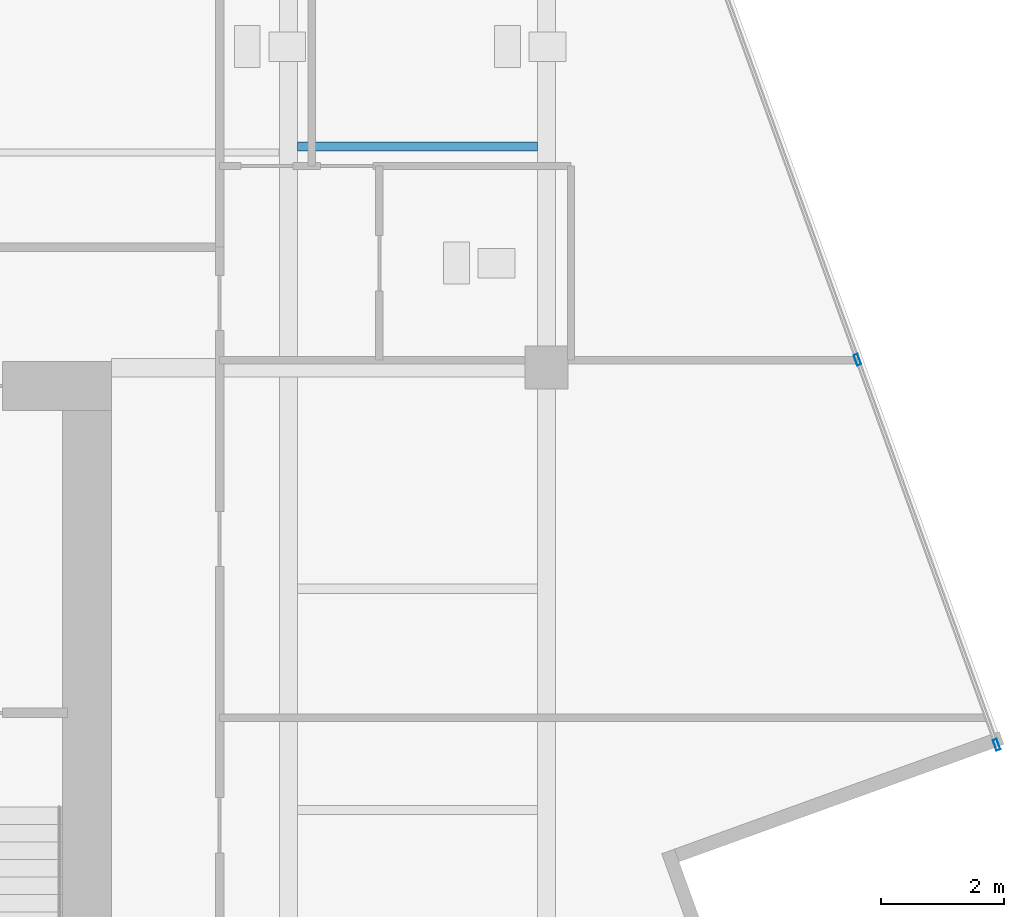
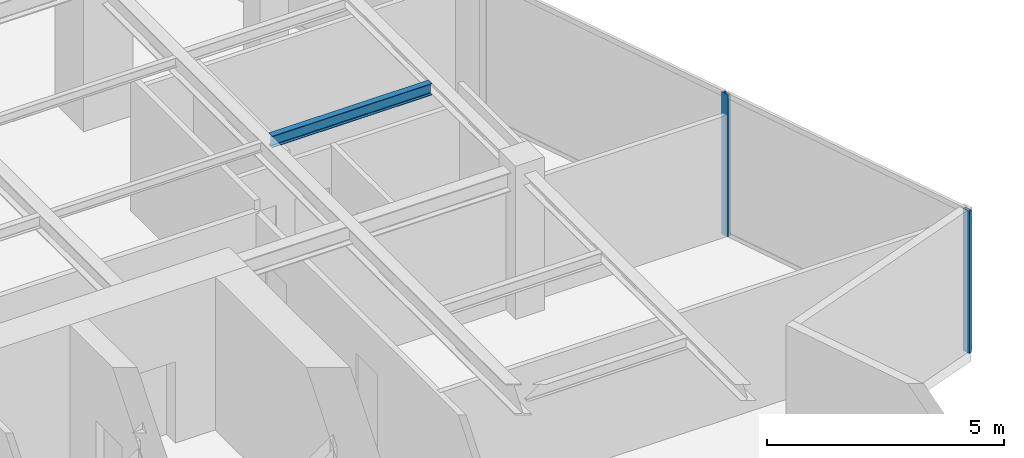
# One storey, part 11 of 21: 2 members, 1 beam, 1 element without a shape of its own.
"""IFC4 building model written with IfcOpenShell, lengths in metres."""

from ifc_helpers import new_model, si_unit, direction, frame, origin, origin_2d, place, context, subcontext, project, spatial, hollow_rectangle, i_section, extrude, source, transform, mapped, material, material_profile, profile_set, type_object, type_shapes, element, aggregate, save


model = new_model("IFC4")

# Units and contexts
model_context = context("Model", 3, precision=1e-05, world=origin(), true_north=direction((0.0, 1.0)))
body_context = subcontext(model_context, "Body", "Model", "MODEL_VIEW")
ifc_project = project(units=[si_unit("LENGTHUNIT", "METRE"), si_unit("AREAUNIT", "SQUARE_METRE"), si_unit("VOLUMEUNIT", "CUBIC_METRE"), si_unit("PLANEANGLEUNIT", "RADIAN"), si_unit("MASSUNIT", "GRAM", prefix="KILO")], contexts=[model_context])

# Site, building, storey
site_placement = place(None, origin())
site = spatial("IfcSite", under=ifc_project, at=site_placement, CompositionType="ELEMENT")
building_placement = place(site_placement, origin())
building = spatial("IfcBuilding", under=site, at=building_placement, Name="Krantzveldt Concourse Tower", CompositionType="ELEMENT")
storey_placement = place(building_placement, frame((0.0, 0.0, 331.64990234375)))
storey = spatial("IfcBuildingStorey", under=building, at=storey_placement, Name="L81", CompositionType="ELEMENT", Elevation=331.64990234375)

# Beam
ifc_material_1 = material(Name="Steel S355JR", Category="steel")
ifc_material_profile_1 = material_profile(ifc_material_1, i_section(OverallWidth=0.14990234375, OverallDepth=0.300048828125, WebThickness=0.007080078125, FlangeThickness=0.0107421875, FilletRadius=0.014892578125, at=origin_2d()), Name="Steel S355JR", Category="steel")
ifc_profile_set_1 = profile_set([ifc_material_profile_1], Name="Steel S355JR - IPE 300")
beam_type = type_object("IfcBeamType", Name="BM-J-IPE300", PredefinedType="JOIST", material=ifc_profile_set_1)
shared_shape_1 = source(origin(), body_context, "Body", "SweptSolid", [
    extrude(i_section(OverallWidth=0.14990234375, OverallDepth=0.300048828125, WebThickness=0.007080078125, FlangeThickness=0.0107421875, FilletRadius=0.014892578125, at=origin_2d()), origin(), (0.0, 0.0, 1.0), 3.900146484375),
])
type_shapes(beam_type, [shared_shape_1])
beam_placement = place(storey_placement, frame((46.949951171875, 30.300048828125, 3.52001953125), z_axis=(1.0, 0.0, 0.0), x_axis=(0.0, 1.0, 0.0)))
element("IfcBeam", 1, at=beam_placement, inside=storey, type_object=beam_type, Name="L81 Secondary Floor Joist JE-3", PredefinedType="JOIST", context=body_context, shape_type="MappedRepresentation", body=[
    mapped(shared_shape_1, transform((0.0, 0.0, 0.0), x_axis=(1.0, 0.0, 0.0), y_axis=(0.0, 1.0, 0.0), z_axis=(0.0, 0.0, 1.0), scale=1.0)),
])

# Curtain wall, members
ifc_material_2 = material(Name="Anodised aluminium 6063-T6", Category="aluminium")
curtain_wall_type = type_object("IfcCurtainWallType", Name="CW4", PredefinedType="USERDEFINED", material=ifc_material_2)
curtain_wall_placement = place(storey_placement, origin())
curtain_wall = element("IfcCurtainWall", 2, at=curtain_wall_placement, inside=storey, type_object=curtain_wall_type, Name="CW-L81-F10", ObjectType="UNITISED CURTAIN WALL", PredefinedType="USERDEFINED")
ifc_material_profile_2 = material_profile(ifc_material_2, hollow_rectangle(XDim=0.070068359375, YDim=0.179931640625, WallThickness=0.0048828125, at=origin_2d()), Name="Anodised aluminium 6063-T6", Category="aluminium")
ifc_profile_set_2 = profile_set([ifc_material_profile_2], Name="Anodised aluminium 6063-T6 - ALU-MULL 180x70x5")
member_type = type_object("IfcMemberType", Name="CW-MUL-180", PredefinedType="MULLION", material=ifc_profile_set_2)
shared_shape_2 = source(origin(), body_context, "Body", "SweptSolid", [
    extrude(hollow_rectangle(XDim=0.070068359375, YDim=0.179931640625, WallThickness=0.0048828125, at=origin_2d()), origin(), (0.0, 0.0, 1.0), 3.670166015625),
])
type_shapes(member_type, [shared_shape_2])
member_1_placement = place(storey_placement, frame((58.327392578125, 20.559814453125, 0.0), z_axis=(0.0, 0.0, 1.0), x_axis=(-0.940436624478, -0.339969050563, 0.0)))
member_1 = element("IfcMember", 3, at=member_1_placement, type_object=member_type, Name="CW-Z56 mullion 1", PredefinedType="MULLION", context=body_context, shape_type="MappedRepresentation", body=[
    mapped(shared_shape_2, transform((0.0, 0.0, 0.0), x_axis=(1.0, 0.0, 0.0), y_axis=(0.0, 1.0, 0.0), z_axis=(0.0, 0.0, 1.0), scale=1.0)),
])
member_2_placement = place(storey_placement, frame((56.0615234375, 26.827880859375, 0.0), z_axis=(0.0, 0.0, 1.0), x_axis=(-0.940436624478, -0.339969050563, 0.0)))
member_2 = element("IfcMember", 4, at=member_2_placement, type_object=member_type, Name="CW-Z56 mullion 2", PredefinedType="MULLION", context=body_context, shape_type="MappedRepresentation", body=[
    mapped(shared_shape_2, transform((0.0, 0.0, 0.0), x_axis=(1.0, 0.0, 0.0), y_axis=(0.0, 1.0, 0.0), z_axis=(0.0, 0.0, 1.0), scale=1.0)),
])
aggregate(curtain_wall, [member_1, member_2])

save(model, "model.ifc")
